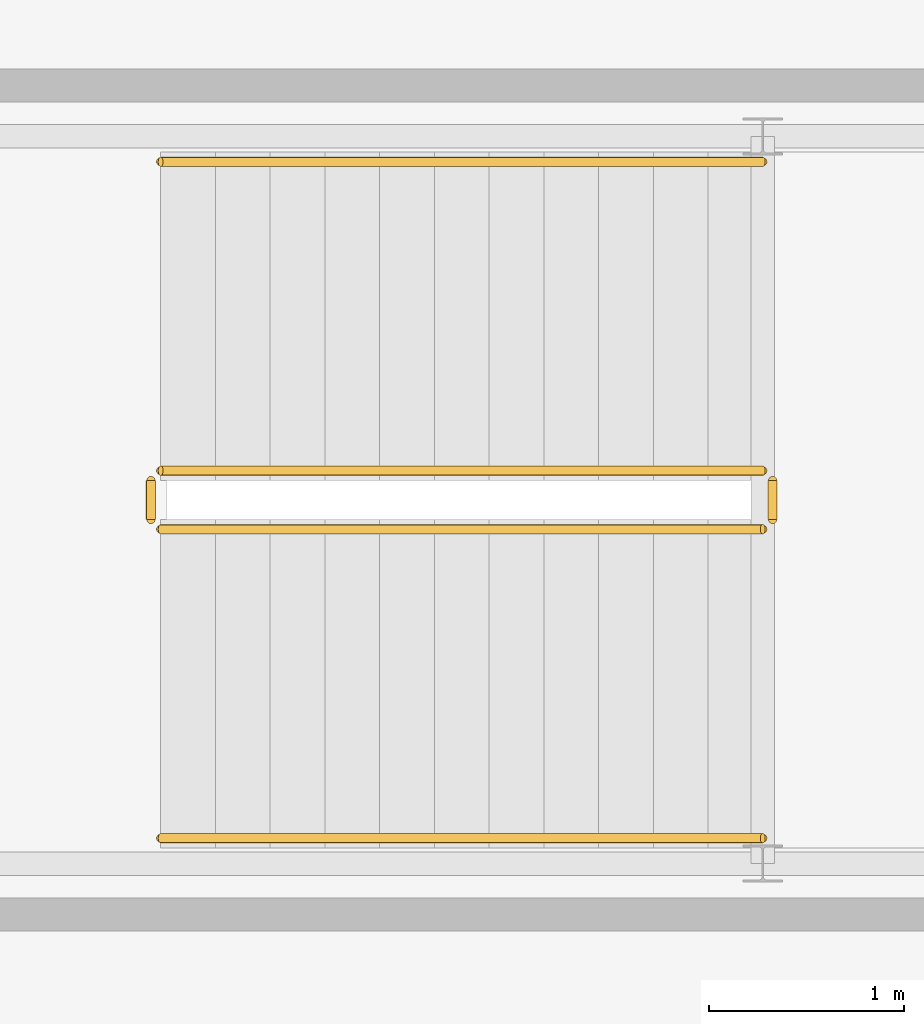
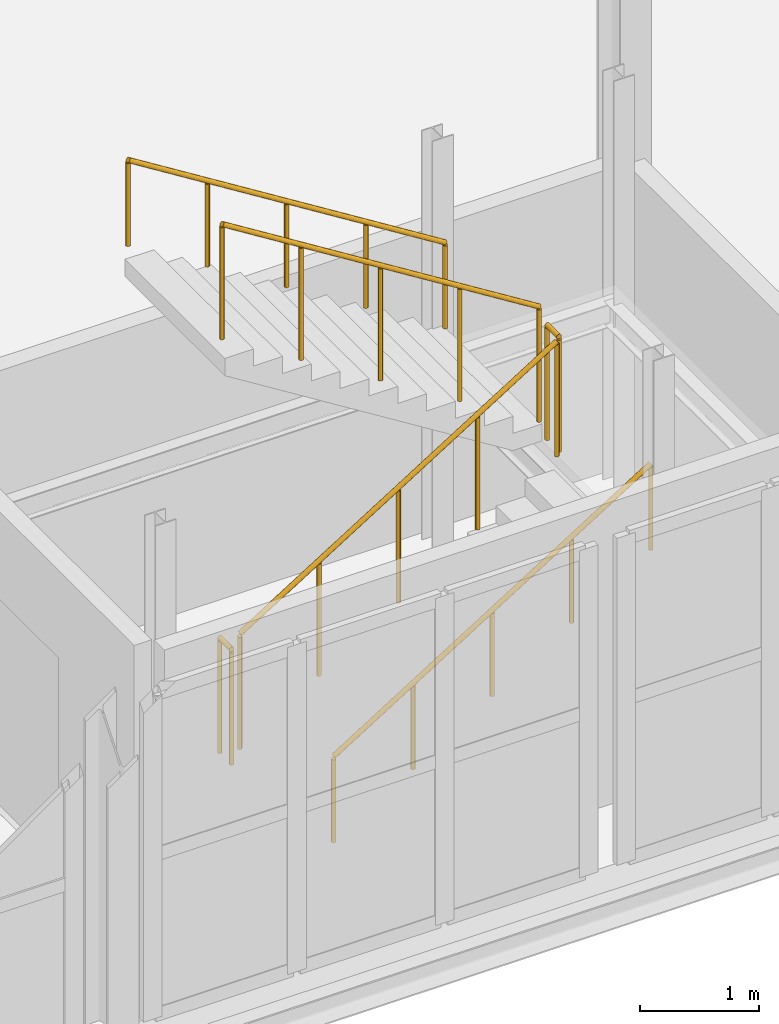
# One storey, part 84 of 85: 6 railings.
"""IFC4 building model written with IfcOpenShell, lengths in metres."""

from ifc_helpers import new_model, si_unit, direction, frame, origin, origin_2d, place, context, subcontext, project, spatial, circle, extrude, material, type_object, element, save


model = new_model("IFC4")

# Units and contexts
model_context = context("Model", 3, precision=1e-05, world=origin(), true_north=direction((0.0, 1.0)))
body_context = subcontext(model_context, "Body", "Model", "MODEL_VIEW")
ifc_project = project(units=[si_unit("LENGTHUNIT", "METRE"), si_unit("AREAUNIT", "SQUARE_METRE"), si_unit("VOLUMEUNIT", "CUBIC_METRE"), si_unit("PLANEANGLEUNIT", "RADIAN"), si_unit("MASSUNIT", "GRAM", prefix="KILO")], contexts=[model_context])

# Site, building, storey
site_placement = place(None, origin())
site = spatial("IfcSite", under=ifc_project, at=site_placement, CompositionType="ELEMENT")
building_placement = place(site_placement, origin())
building = spatial("IfcBuilding", under=site, at=building_placement, Name="Alderhovde Museum", CompositionType="ELEMENT")
storey_placement = place(building_placement, frame((0.0, 0.0, 8.699951171875)))
storey = spatial("IfcBuildingStorey", under=building, at=storey_placement, Name="L02", CompositionType="ELEMENT", Elevation=8.699951171875)

# Railings
ifc_material_1 = material(Name="Painted Steel S355 Guardrail", Category="steel")
railing_type_1 = type_object("IfcRailingType", Name="RL-GUARD-1200", PredefinedType="GUARDRAIL", material=ifc_material_1)
railing_1_placement = place(storey_placement, frame((127.679931640625, 74.830078125, 0.175048828125)))
element("IfcRailing", 1, at=railing_1_placement, inside=storey, type_object=railing_type_1, Name="L02 ST4 stair guard 1", PredefinedType="GUARDRAIL", context=body_context, shape_type="SweptSolid", body=[
    extrude(circle(Radius=0.02392578125, at=origin_2d()), frame((0.0, 0.0, 1.17578125), z_axis=(0.847998304005, 0.0, 0.529998940003), x_axis=(0.0, 1.0, 0.0)), (0.0, 0.0, 1.0), 3.632080078125),
    extrude(circle(Radius=0.02099609375, at=origin_2d()), origin(), (0.0, 0.0, 1.0), 1.15185546875),
    extrude(circle(Radius=0.02099609375, at=origin_2d()), frame((0.77001953125, 0.0, 0.481201171875)), (0.0, 0.0, 1.0), 1.15185546875),
    extrude(circle(Radius=0.02099609375, at=origin_2d()), frame((1.5400390625, 0.0, 0.96240234375)), (0.0, 0.0, 1.0), 1.15185546875),
    extrude(circle(Radius=0.02099609375, at=origin_2d()), frame((2.31005859375, 0.0, 1.44384765625)), (0.0, 0.0, 1.0), 1.15185546875),
    extrude(circle(Radius=0.02099609375, at=origin_2d()), frame((3.080078125, 0.0, 1.925048828125)), (0.0, 0.0, 1.0), 1.15185546875),
])
railing_2_placement = place(storey_placement, frame((130.81005859375, 74.8798828125, 2.10009765625)))
element("IfcRailing", 2, at=railing_2_placement, inside=storey, type_object=railing_type_1, Name="L02 ST4 stair guard 2", PredefinedType="GUARDRAIL", context=body_context, shape_type="SweptSolid", body=[
    extrude(circle(Radius=0.02392578125, at=origin_2d()), frame((0.0, 0.0, 1.17578125), z_axis=(0.0, 1.0, 0.0), x_axis=(-1.0, 0.0, 0.0)), (0.0, 0.0, 1.0), 0.2001953125),
    extrude(circle(Radius=0.02099609375, at=origin_2d()), origin(), (0.0, 0.0, 1.0), 1.15185546875),
    extrude(circle(Radius=0.02099609375, at=origin_2d()), frame((0.0, 0.2001953125, 0.0)), (0.0, 0.0, 1.0), 1.15185546875),
])
railing_3_placement = place(storey_placement, frame((130.760009765625, 75.1298828125, 2.275146484375)))
element("IfcRailing", 3, at=railing_3_placement, inside=storey, type_object=railing_type_1, Name="L02 ST4 stair guard 3", PredefinedType="GUARDRAIL", context=body_context, shape_type="SweptSolid", body=[
    extrude(circle(Radius=0.02392578125, at=origin_2d()), frame((0.0, 0.0, 1.17578125), z_axis=(-0.848028513186, 0.0, 0.529950602248), x_axis=(0.0, -1.0, 0.0)), (0.0, 0.0, 1.0), 3.632080078125),
    extrude(circle(Radius=0.02099609375, at=origin_2d()), origin(), (0.0, 0.0, 1.0), 1.15185546875),
    extrude(circle(Radius=0.02099609375, at=origin_2d()), frame((-0.77001953125, 0.0, 0.481201171875)), (0.0, 0.0, 1.0), 1.15185546875),
    extrude(circle(Radius=0.02099609375, at=origin_2d()), frame((-1.5400390625, 0.0, 0.96240234375)), (0.0, 0.0, 1.0), 1.15185546875),
    extrude(circle(Radius=0.02099609375, at=origin_2d()), frame((-2.31005859375, 0.0, 1.443603515625)), (0.0, 0.0, 1.0), 1.15185546875),
    extrude(circle(Radius=0.02099609375, at=origin_2d()), frame((-3.080078125, 0.0, 1.9248046875)), (0.0, 0.0, 1.0), 1.15185546875),
])
railing_4_placement = place(storey_placement, frame((127.6298828125, 74.8798828125, 0.0)))
element("IfcRailing", 4, at=railing_4_placement, inside=storey, type_object=railing_type_1, Name="L02 ST4 stair guard 4", PredefinedType="GUARDRAIL", context=body_context, shape_type="SweptSolid", body=[
    extrude(circle(Radius=0.02392578125, at=origin_2d()), frame((0.0, 0.0, 1.17578125), z_axis=(0.0, 1.0, 0.0), x_axis=(-1.0, 0.0, 0.0)), (0.0, 0.0, 1.0), 0.2001953125),
    extrude(circle(Radius=0.02099609375, at=origin_2d()), origin(), (0.0, 0.0, 1.0), 1.15185546875),
    extrude(circle(Radius=0.02099609375, at=origin_2d()), frame((0.0, 0.2001953125, 0.0)), (0.0, 0.0, 1.0), 1.15185546875),
])
ifc_material_2 = material(Name="Brushed Stainless Steel Handrail", Category="steel")
railing_type_2 = type_object("IfcRailingType", Name="RL-HANDRAIL-900", PredefinedType="HANDRAIL", material=ifc_material_2)
railing_5_placement = place(storey_placement, frame((127.679931640625, 73.25, 0.175048828125)))
element("IfcRailing", 5, at=railing_5_placement, inside=storey, type_object=railing_type_2, Name="L02 ST4 stair handrail 1", PredefinedType="HANDRAIL", context=body_context, shape_type="SweptSolid", body=[
    extrude(circle(Radius=0.02392578125, at=origin_2d()), frame((0.0, 0.0, 0.8759765625), z_axis=(0.847998304005, 0.0, 0.529998940003), x_axis=(0.0, 1.0, 0.0)), (0.0, 0.0, 1.0), 3.632080078125),
    extrude(circle(Radius=0.02099609375, at=origin_2d()), origin(), (0.0, 0.0, 1.0), 0.851806640625),
    extrude(circle(Radius=0.02099609375, at=origin_2d()), frame((0.77001953125, 0.0, 0.481201171875)), (0.0, 0.0, 1.0), 0.851806640625),
    extrude(circle(Radius=0.02099609375, at=origin_2d()), frame((1.5400390625, 0.0, 0.96240234375)), (0.0, 0.0, 1.0), 0.851806640625),
    extrude(circle(Radius=0.02099609375, at=origin_2d()), frame((2.31005859375, 0.0, 1.44384765625)), (0.0, 0.0, 1.0), 0.851806640625),
    extrude(circle(Radius=0.02099609375, at=origin_2d()), frame((3.080078125, 0.0, 1.925048828125)), (0.0, 0.0, 1.0), 0.851806640625),
])
railing_6_placement = place(storey_placement, frame((130.760009765625, 76.7099609375, 2.275146484375)))
element("IfcRailing", 6, at=railing_6_placement, inside=storey, type_object=railing_type_2, Name="L02 ST4 stair handrail 2", PredefinedType="HANDRAIL", context=body_context, shape_type="SweptSolid", body=[
    extrude(circle(Radius=0.02392578125, at=origin_2d()), frame((0.0, 0.0, 0.8759765625), z_axis=(-0.848028513186, 0.0, 0.529950602248), x_axis=(0.0, -1.0, 0.0)), (0.0, 0.0, 1.0), 3.632080078125),
    extrude(circle(Radius=0.02099609375, at=origin_2d()), origin(), (0.0, 0.0, 1.0), 0.851806640625),
    extrude(circle(Radius=0.02099609375, at=origin_2d()), frame((-0.77001953125, 0.0, 0.481201171875)), (0.0, 0.0, 1.0), 0.851806640625),
    extrude(circle(Radius=0.02099609375, at=origin_2d()), frame((-1.5400390625, 0.0, 0.96240234375)), (0.0, 0.0, 1.0), 0.851806640625),
    extrude(circle(Radius=0.02099609375, at=origin_2d()), frame((-2.31005859375, 0.0, 1.443603515625)), (0.0, 0.0, 1.0), 0.851806640625),
    extrude(circle(Radius=0.02099609375, at=origin_2d()), frame((-3.080078125, 0.0, 1.9248046875)), (0.0, 0.0, 1.0), 0.851806640625),
])

save(model, "model.ifc")
